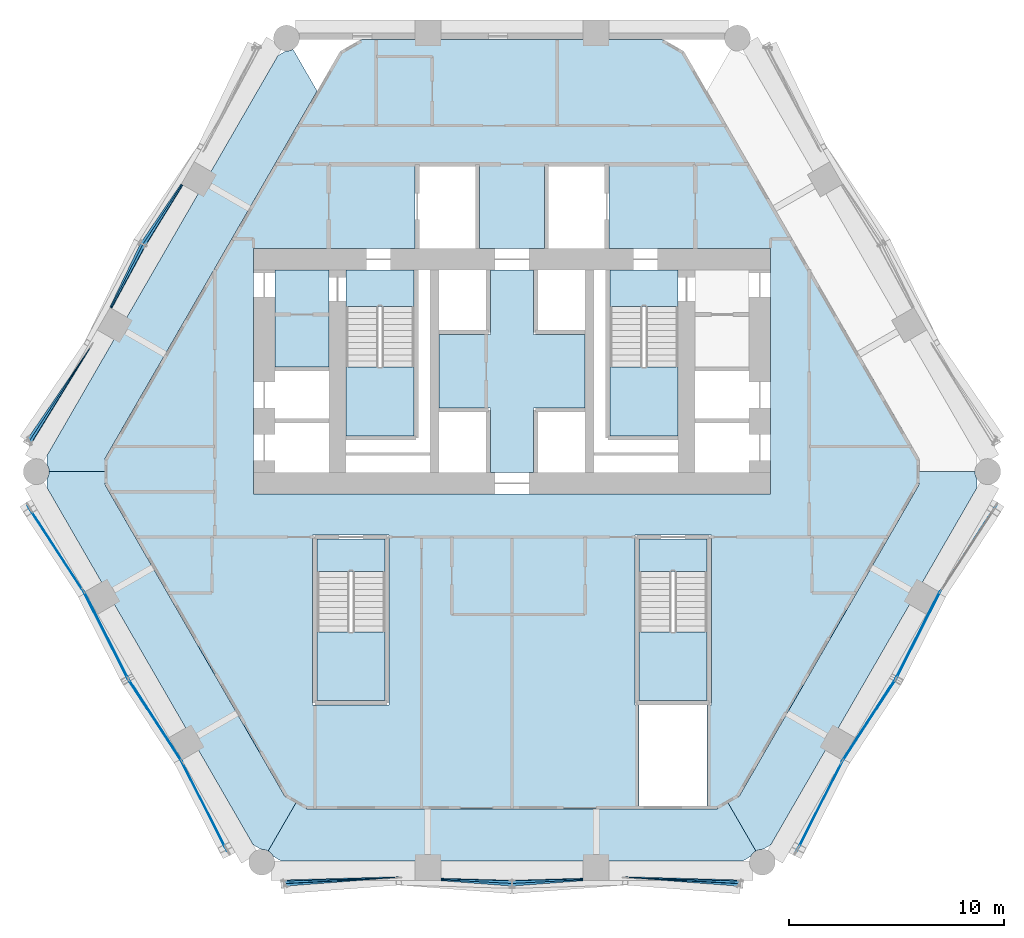
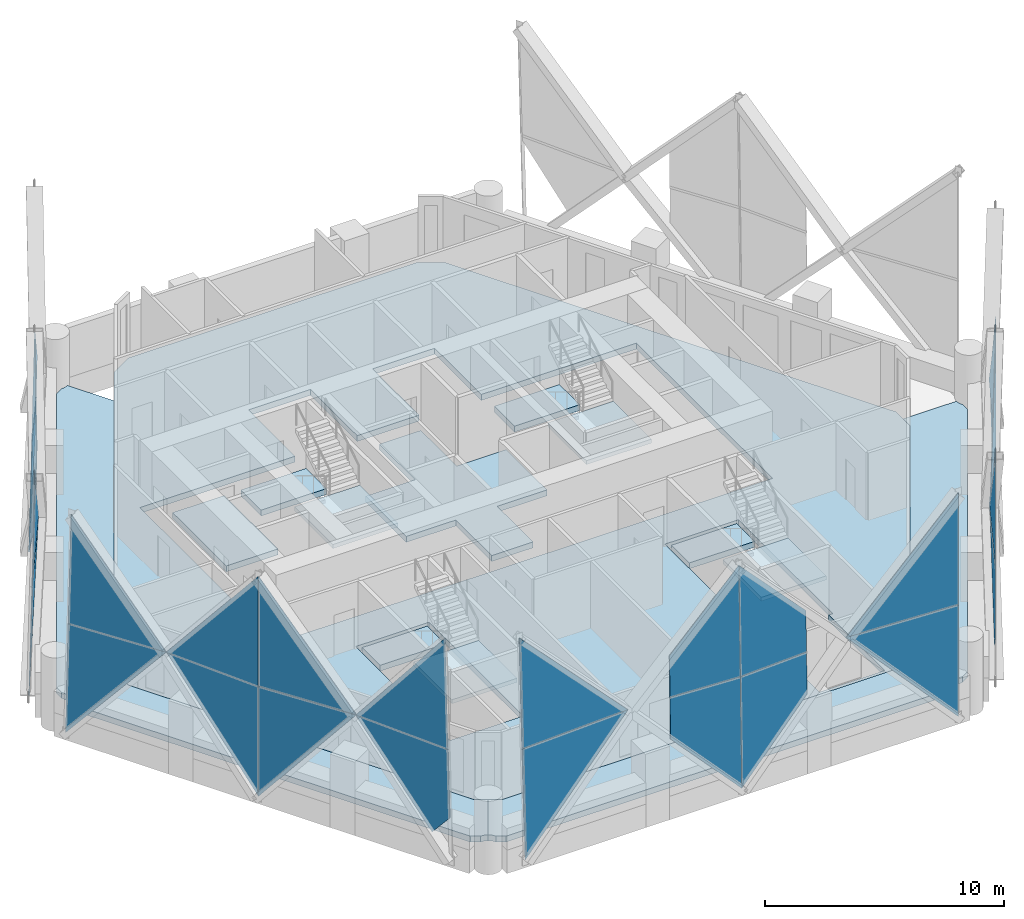
# One storey, part 10 of 21: 29 plates, 15 slabs, 20 elements without a shape of their own.
"""IFC4 building model written with IfcOpenShell, lengths in metres."""

from ifc_helpers import new_model, si_unit, direction, frame, origin, place, context, subcontext, project, spatial, polyline, outline, extrude, material, layer, layer_set, type_object, element, aggregate, save


model = new_model("IFC4")

# Units and contexts
model_context = context("Model", 3, precision=1e-05, world=origin(), true_north=direction((0.0, 1.0)))
body_context = subcontext(model_context, "Body", "Model", "MODEL_VIEW")
ifc_project = project(units=[si_unit("LENGTHUNIT", "METRE"), si_unit("AREAUNIT", "SQUARE_METRE"), si_unit("VOLUMEUNIT", "CUBIC_METRE"), si_unit("PLANEANGLEUNIT", "RADIAN"), si_unit("MASSUNIT", "GRAM", prefix="KILO")], contexts=[model_context])

# Site, building, storey
site_placement = place(None, origin())
site = spatial("IfcSite", under=ifc_project, at=site_placement, CompositionType="ELEMENT")
building_placement = place(site_placement, origin())
building = spatial("IfcBuilding", under=site, at=building_placement, Name="Ostrander Bayou Hotel Tower", CompositionType="ELEMENT")
storey_placement = place(building_placement, frame((0.0, 0.0, 116.0)))
storey = spatial("IfcBuildingStorey", under=building, at=storey_placement, Name="L28", CompositionType="ELEMENT", Elevation=116.0)

# Curtain wall, plate
ifc_material_1 = material(Name="Aluminium and clear glass", Category="aluminium")
curtain_wall_type = type_object("IfcCurtainWallType", Name="CW-LAT lattice glazing", PredefinedType="NOTDEFINED", material=ifc_material_1)
curtain_wall_1_placement = place(storey_placement, origin())
curtain_wall_1 = element("IfcCurtainWall", 1, at=curtain_wall_1_placement, inside=storey, type_object=curtain_wall_type, Name="CW-LAT L28 NW 1", PredefinedType="NOTDEFINED")
ifc_material_2 = material(Name="Clear laminated glass", Category="glass")
ifc_layer_1 = layer(ifc_material_2, 0.028076171875)
ifc_layer_set_1 = layer_set([ifc_layer_1], Name="CW-LA glazing panel 28 mm")
plate_type = type_object("IfcPlateType", Name="CW-LA glazing panel 28 mm", PredefinedType="CURTAIN_PANEL", material=ifc_layer_set_1)
plate_1_placement = place(storey_placement, frame((-15.37109375, 12.687744140625, 2.9248046875), z_axis=(-0.838646763957, 0.544240139773, 0.021777868676), x_axis=(-0.385965082101, -0.565590062822, -0.728792725153)))
plate_1 = element("IfcPlate", 2, at=plate_1_placement, type_object=plate_type, Name="CW-LAT panel 3", PredefinedType="CURTAIN_PANEL", context=body_context, shape_type="SweptSolid", body=[
    extrude(outline(polyline([(0.0, 0.0), (4.836629647808147, 0.0), (0.7308395861718675, 3.8468359470799594), (-1.5305046540110934, 1.4387728736882825), (0.0, 0.0)])), origin(), (0.0, 0.0, -1.0), 0.028076171875),
])

curtain_wall_2_placement = place(storey_placement, origin())
curtain_wall_2 = element("IfcCurtainWall", 3, at=curtain_wall_2_placement, inside=storey, type_object=curtain_wall_type, Name="CW-LAT L28 NW 2", PredefinedType="NOTDEFINED")
plate_2_placement = place(storey_placement, frame((-15.294189453125, 12.637939453125, 7.130126953125), z_axis=(-0.838651226354, 0.544232352726, 0.021800614249), x_axis=(-0.358813780547, -0.582151864499, 0.729624477077)))
plate_2 = element("IfcPlate", 4, at=plate_2_placement, type_object=plate_type, Name="CW-LAT panel 4", PredefinedType="CURTAIN_PANEL", context=body_context, shape_type="SweptSolid", body=[
    extrude(outline(polyline([(0.0, 0.0), (4.824091476423231, -8.881784197001252e-16), (0.7224739809354106, -3.8512912999961855), (-1.5366793893273751, -1.4396858016075385), (0.0, 0.0)])), origin(), (0.0, 0.0, -1.0), 0.028076171875),
])

curtain_wall_3_placement = place(storey_placement, origin())
curtain_wall_3 = element("IfcCurtainWall", 5, at=curtain_wall_3_placement, inside=storey, type_object=curtain_wall_type, Name="CW-LAT L28 NW 3", PredefinedType="NOTDEFINED")
plate_3_placement = place(storey_placement, frame((-18.673095703125, 6.968505859375, 2.92431640625), z_axis=(-0.890649873337, 0.454169167374, 0.021752483355), x_axis=(0.296826975165, 0.617001199326, -0.728836927471)))
plate_3 = element("IfcPlate", 6, at=plate_3_placement, type_object=plate_type, Name="CW-LAT panel 5", PredefinedType="CURTAIN_PANEL", context=body_context, shape_type="SweptSolid", body=[
    extrude(outline(polyline([(0.0, 0.0), (4.835670734600236, -4.440892098500626e-16), (0.7296769905186491, -3.8466185424230304), (-1.531909606743714, -1.437983843911311), (0.0, 0.0)])), origin(), (0.0, 0.0, -1.0), 0.028076171875),
])
aggregate(curtain_wall_3, [plate_3])

curtain_wall_4_placement = place(storey_placement, origin())
curtain_wall_4 = element("IfcCurtainWall", 7, at=curtain_wall_4_placement, inside=storey, type_object=curtain_wall_type, Name="CW-LAT L28 NW 4", PredefinedType="NOTDEFINED")
plate_4_placement = place(storey_placement, frame((-18.592529296875, 6.925048828125, 7.128662109375), z_axis=(-0.890644617966, 0.454177838801, 0.021786583713), x_axis=(0.324749515614, 0.60183627218, 0.729610069555)))
plate_4 = element("IfcPlate", 8, at=plate_4_placement, type_object=plate_type, Name="CW-LAT panel 6", PredefinedType="CURTAIN_PANEL", context=body_context, shape_type="SweptSolid", body=[
    extrude(outline(polyline([(0.0, 0.0), (4.826197278703129, 0.0), (0.7244526773733906, 3.8511559270760425), (-1.5349292507839474, 1.4394068930665587), (0.0, 0.0)])), origin(), (0.0, 0.0, -1.0), 0.028076171875),
])
aggregate(curtain_wall_4, [plate_4])

# Plate
plate_5_placement = place(storey_placement, frame((-19.52880859375, 5.18994140625, 5.02490234375), z_axis=(-0.838650768657, 0.544207199648, 0.022436846542), x_axis=(-0.383752466944, -0.561145673504, -0.733382285866)))
plate_5 = element("IfcPlate", 9, at=plate_5_placement, type_object=plate_type, Name="CW-LAT panel 7", PredefinedType="CURTAIN_PANEL", context=body_context, shape_type="SweptSolid", body=[
    extrude(outline(polyline([(0.0, 0.0), (7.669942550301036, -4.440892098500626e-16), (3.586407440927981, 3.8711056912351505), (0.0, 0.0)])), origin(), (0.0, 0.0, -1.0), 0.028076171875),
])

aggregate(curtain_wall_1, [plate_1, plate_5])

plate_6_placement = place(storey_placement, frame((-19.52880859375, 5.18994140625, 5.02490234375), z_axis=(-0.838650768657, 0.544207199648, 0.022436846542), x_axis=(-0.361137115625, -0.586422982718, 0.725043494597)))
plate_6 = element("IfcPlate", 10, at=plate_6_placement, type_object=plate_type, Name="CW-LAT panel 8", PredefinedType="CURTAIN_PANEL", context=body_context, shape_type="SweptSolid", body=[
    extrude(outline(polyline([(0.0, 0.0), (7.758155258151666, 4.440892098500626e-16), (3.633340045187415, -3.8270899807940593), (0.0, 0.0)])), origin(), (0.0, 0.0, -1.0), 0.028076171875),
])

aggregate(curtain_wall_2, [plate_2, plate_6])

# Curtain wall, plate
curtain_wall_5_placement = place(storey_placement, origin())
curtain_wall_5 = element("IfcCurtainWall", 11, at=curtain_wall_5_placement, inside=storey, type_object=curtain_wall_type, Name="CW-LAT L28 SW 3", PredefinedType="NOTDEFINED")
plate_7_placement = place(storey_placement, frame((-19.896240234375, -6.190185546875, 5.02490234375), z_axis=(0.838203550511, 0.545355819656, 0.001355683491), x_axis=(-0.350338606258, 0.540366835205, -0.765027152705)))
plate_7 = element("IfcPlate", 12, at=plate_7_placement, type_object=plate_type, Name="CW-LAT panel 1", PredefinedType="CURTAIN_PANEL", context=body_context, shape_type="SweptSolid", body=[
    extrude(outline(polyline([(0.0, 0.0), (7.352680202410827, 4.440892098500626e-16), (2.958239696491959, 3.514201317815347), (0.0, 0.0)])), origin(), (0.0, 0.0, -1.0), 0.028076171875),
])

curtain_wall_6_placement = place(storey_placement, origin())
curtain_wall_6 = element("IfcCurtainWall", 13, at=curtain_wall_6_placement, inside=storey, type_object=curtain_wall_type, Name="CW-LAT L28 SW 4", PredefinedType="NOTDEFINED")
plate_8_placement = place(storey_placement, frame((-19.896240234375, -6.190185546875, 5.02490234375), z_axis=(0.838203577173, 0.545355837003, 0.001332013576), x_axis=(-0.339337211246, 0.519640946596, 0.784106844559)))
plate_8 = element("IfcPlate", 14, at=plate_8_placement, type_object=plate_type, Name="CW-LAT panel 2", PredefinedType="CURTAIN_PANEL", context=body_context, shape_type="SweptSolid", body=[
    extrude(outline(polyline([(0.0, 0.0), (7.173767247449312, 0.0), (2.850878050136645, -3.6018449921234863), (0.0, 0.0)])), origin(), (0.0, 0.0, -1.0), 0.028076171875),
])

curtain_wall_7_placement = place(storey_placement, origin())
curtain_wall_7 = element("IfcCurtainWall", 15, at=curtain_wall_7_placement, inside=storey, type_object=curtain_wall_type, Name="CW-LAT L28 SW 1", PredefinedType="NOTDEFINED")
plate_9_placement = place(storey_placement, frame((-19.896240234375, -6.190185546875, 5.02490234375), z_axis=(-0.891388041709, -0.453240950376, 0.0), x_axis=(0.286686905249, -0.563826544892, -0.77453873088)))
plate_9 = element("IfcPlate", 16, at=plate_9_placement, type_object=plate_type, Name="CW-LAT panel 3", PredefinedType="CURTAIN_PANEL", context=body_context, shape_type="SweptSolid", body=[
    extrude(outline(polyline([(0.0, 0.0), (7.262386986908618, 4.440892098500626e-16), (2.9056066257083293, 3.557961478748679), (0.0, 0.0)])), origin(), (0.0, 0.0, -1.0), 0.028076171875),
])

curtain_wall_8_placement = place(storey_placement, origin())
curtain_wall_8 = element("IfcCurtainWall", 17, at=curtain_wall_8_placement, inside=storey, type_object=curtain_wall_type, Name="CW-LAT L28 SW 2", PredefinedType="NOTDEFINED")
plate_10_placement = place(storey_placement, frame((-19.896240234375, -6.190185546875, 5.02490234375), z_axis=(0.891388041709, 0.453240950376, 0.0), x_axis=(0.286686905249, -0.563826544892, 0.77453873088)))
plate_10 = element("IfcPlate", 18, at=plate_10_placement, type_object=plate_type, Name="CW-LAT panel 4", PredefinedType="CURTAIN_PANEL", context=body_context, shape_type="SweptSolid", body=[
    extrude(outline(polyline([(0.0, 0.0), (7.262386986908618, 4.440892098500626e-16), (2.9056066257083293, 3.557961478748679), (0.0, 0.0)])), origin(), (0.0, 0.0, -1.0), 0.028076171875),
])

# Plate
plate_11_placement = place(storey_placement, frame((-15.30908203125, -14.135498046875, 5.02490234375), z_axis=(0.838220126783, 0.545332026434, 0.0), x_axis=(-0.344942016564, 0.530204218423, -0.774531143322)))
plate_11 = element("IfcPlate", 19, at=plate_11_placement, type_object=plate_type, Name="CW-LAT panel 5", PredefinedType="CURTAIN_PANEL", context=body_context, shape_type="SweptSolid", body=[
    extrude(outline(polyline([(0.0, 0.0), (7.262458131607101, 0.0), (2.9057204504222476, 3.558013740465884), (0.0, 0.0)])), origin(), (0.0, 0.0, -1.0), 0.028076171875),
])

aggregate(curtain_wall_5, [plate_7, plate_11])

plate_12_placement = place(storey_placement, frame((-15.30908203125, -14.135498046875, 5.02490234375), z_axis=(-0.838220126783, -0.545332026434, 0.0), x_axis=(-0.344942016564, 0.530204218423, 0.774531143322)))
plate_12 = element("IfcPlate", 20, at=plate_12_placement, type_object=plate_type, Name="CW-LAT panel 6", PredefinedType="CURTAIN_PANEL", context=body_context, shape_type="SweptSolid", body=[
    extrude(outline(polyline([(0.0, 0.0), (7.262458131607101, 0.0), (2.9057204504222476, 3.558013740465884), (0.0, 0.0)])), origin(), (0.0, 0.0, -1.0), 0.028076171875),
])

aggregate(curtain_wall_6, [plate_8, plate_12])

plate_13_placement = place(storey_placement, frame((-15.30908203125, -14.135498046875, 5.02490234375), z_axis=(0.891387393272, 0.453240159651, 0.001368501179), x_axis=(0.453240584065, -0.891388227966, -5.62e-10)))
plate_13 = element("IfcPlate", 21, at=plate_13_placement, type_object=plate_type, Name="CW-LAT panel 7", PredefinedType="CURTAIN_PANEL", context=body_context, shape_type="SweptSolid", body=[
    extrude(outline(polyline([(0.0, 0.0), (4.593652114343887, -4.336808689942018e-19), (4.68125100400269, 3.4787630204997195), (3.8063572862276134, 4.521488609356448), (0.0, 0.0)])), origin(), (0.0, 0.0, -1.0), 0.028076171875),
])

aggregate(curtain_wall_7, [plate_9, plate_13])

plate_14_placement = place(storey_placement, frame((-15.30908203125, -14.135498046875, 5.02490234375), z_axis=(0.891387259529, 0.453240552663, 0.00132475292), x_axis=(0.280361990279, -0.553679196388, 0.784115107553)))
plate_14 = element("IfcPlate", 22, at=plate_14_placement, type_object=plate_type, Name="CW-LAT panel 8", PredefinedType="CURTAIN_PANEL", context=body_context, shape_type="SweptSolid", body=[
    extrude(outline(polyline([(0.0, 0.0), (7.173691650388627, 0.0), (2.8508873376278783, 3.6019551823659137), (0.0, 0.0)])), origin(), (0.0, 0.0, -1.0), 0.028076171875),
])

aggregate(curtain_wall_8, [plate_10, plate_14])

# Curtain wall, plate
curtain_wall_9_placement = place(storey_placement, origin())
curtain_wall_9 = element("IfcCurtainWall", 23, at=curtain_wall_9_placement, inside=storey, type_object=curtain_wall_type, Name="CW-LAT L28 S 3", PredefinedType="NOTDEFINED")
plate_15_placement = place(storey_placement, frame((-5.269775390625, -19.50732421875, 5.02490234375), z_axis=(0.051987228837, -0.99839530399, 0.022453173676), x_axis=(-0.677839077855, -0.051788879064, -0.733384003465)))
plate_15 = element("IfcPlate", 24, at=plate_15_placement, type_object=plate_type, Name="CW-LAT panel 1", PredefinedType="CURTAIN_PANEL", context=body_context, shape_type="SweptSolid", body=[
    extrude(outline(polyline([(0.0, 0.0), (7.669924587155052, 4.440892098500626e-16), (3.586436776036938, -3.871160057262423), (0.0, 0.0)])), origin(), (0.0, 0.0, -1.0), 0.028076171875),
])

curtain_wall_10_placement = place(storey_placement, origin())
curtain_wall_10 = element("IfcCurtainWall", 25, at=curtain_wall_10_placement, inside=storey, type_object=curtain_wall_type, Name="CW-LAT L28 S 4", PredefinedType="NOTDEFINED")
plate_16_placement = place(storey_placement, frame((-5.269775390625, -19.50732421875, 5.02490234375), z_axis=(0.051987231471, -0.998395354569, 0.022450918423), x_axis=(-0.6884194142, -0.019542350348, 0.725049520167)))
plate_16 = element("IfcPlate", 26, at=plate_16_placement, type_object=plate_type, Name="CW-LAT panel 2", PredefinedType="CURTAIN_PANEL", context=body_context, shape_type="SweptSolid", body=[
    extrude(outline(polyline([(0.0, 0.0), (7.75809078351294, 4.440892098500626e-16), (3.6333464542779947, 3.8271663774442506), (0.0, 0.0)])), origin(), (0.0, 0.0, -1.0), 0.028076171875),
])

curtain_wall_11_placement = place(storey_placement, origin())
curtain_wall_11 = element("IfcCurtainWall", 27, at=curtain_wall_11_placement, inside=storey, type_object=curtain_wall_type, Name="CW-LAT L28 S 1", PredefinedType="NOTDEFINED")
plate_17_placement = place(storey_placement, frame((-3.3017578125, -19.65576171875, 2.92431640625), z_axis=(-0.051954649853, -0.998411762113, 0.021786868359), x_axis=(0.682774045613, -0.051433614819, -0.72881697696)))
plate_17 = element("IfcPlate", 28, at=plate_17_placement, type_object=plate_type, Name="CW-LAT panel 3", PredefinedType="CURTAIN_PANEL", context=body_context, shape_type="SweptSolid", body=[
    extrude(outline(polyline([(0.0, 0.0), (4.835802960389012, -4.440892098500626e-16), (0.729891276452584, 3.8467122003192893), (-1.5316239295106449, 1.4382905448697527), (0.0, 0.0)])), origin(), (0.0, 0.0, -1.0), 0.028076171875),
])

curtain_wall_12_placement = place(storey_placement, origin())
curtain_wall_12 = element("IfcCurtainWall", 29, at=curtain_wall_12_placement, inside=storey, type_object=curtain_wall_type, Name="CW-LAT L28 S 2", PredefinedType="NOTDEFINED")
plate_18_placement = place(storey_placement, frame((-3.299072265625, -19.564208984375, 7.128662109375), z_axis=(-0.051949655333, -0.998412395868, 0.021769728699), x_axis=(0.683577159909, -0.019659322344, 0.729613443884)))
plate_18 = element("IfcPlate", 30, at=plate_18_placement, type_object=plate_type, Name="CW-LAT panel 4", PredefinedType="CURTAIN_PANEL", context=body_context, shape_type="SweptSolid", body=[
    extrude(outline(polyline([(0.0, 0.0), (4.826176923841132, -8.881784197001252e-16), (0.7245155205356724, -3.851243853715379), (-1.5348683199380413, -1.4394687122089915), (0.0, 0.0)])), origin(), (0.0, 0.0, -1.0), 0.028076171875),
])

# Plate
plate_19_placement = place(storey_placement, frame((3.30224609375, -19.65576171875, 2.9248046875), z_axis=(0.051948803979, -0.998411892892, 0.021794813518), x_axis=(-0.682777220574, -0.051435507452, -0.728813868994)))
plate_19 = element("IfcPlate", 31, at=plate_19_placement, type_object=plate_type, Name="CW-LAT panel 5", PredefinedType="CURTAIN_PANEL", context=body_context, shape_type="SweptSolid", body=[
    extrude(outline(polyline([(0.0, 0.0), (4.836492213895703, -8.881784197001252e-16), (0.73059777984485, -3.846730612852813), (-1.530594838840988, -1.4386749467104658), (0.0, 0.0)])), origin(), (0.0, 0.0, -1.0), 0.028076171875),
])

aggregate(curtain_wall_9, [plate_15, plate_19])

plate_20_placement = place(storey_placement, frame((3.297607421875, -19.564208984375, 7.130126953125), z_axis=(0.05196042213, -0.998411746891, 0.021773796216), x_axis=(-0.683567090286, -0.019663006699, 0.729622778732)))
plate_20 = element("IfcPlate", 32, at=plate_20_placement, type_object=plate_type, Name="CW-LAT panel 6", PredefinedType="CURTAIN_PANEL", context=body_context, shape_type="SweptSolid", body=[
    extrude(outline(polyline([(0.0, 0.0), (4.824106820332073, -4.440892098500626e-16), (0.7223933609506921, 3.8511884129157457), (-1.5367909935693593, 1.4395604733274476), (0.0, 0.0)])), origin(), (0.0, 0.0, -1.0), 0.028076171875),
])

aggregate(curtain_wall_10, [plate_16, plate_20])

plate_21_placement = place(storey_placement, frame((5.269775390625, -19.50732421875, 5.02490234375), z_axis=(-0.051987228837, -0.99839530399, 0.022453173676), x_axis=(0.677839077855, -0.051788879064, -0.733384003465)))
plate_21 = element("IfcPlate", 33, at=plate_21_placement, type_object=plate_type, Name="CW-LAT panel 7", PredefinedType="CURTAIN_PANEL", context=body_context, shape_type="SweptSolid", body=[
    extrude(outline(polyline([(0.0, 0.0), (7.669924587155052, -4.440892098500626e-16), (3.586436776036938, 3.871160057262423), (0.0, 0.0)])), origin(), (0.0, 0.0, -1.0), 0.028076171875),
])

aggregate(curtain_wall_11, [plate_17, plate_21])

plate_22_placement = place(storey_placement, frame((5.269775390625, -19.50732421875, 5.02490234375), z_axis=(-0.051987231471, -0.998395354569, 0.022450918423), x_axis=(0.6884194142, -0.019542350348, 0.725049520167)))
plate_22 = element("IfcPlate", 34, at=plate_22_placement, type_object=plate_type, Name="CW-LAT panel 8", PredefinedType="CURTAIN_PANEL", context=body_context, shape_type="SweptSolid", body=[
    extrude(outline(polyline([(0.0, 0.0), (7.75809078351294, -4.440892098500626e-16), (3.6333464542779947, -3.8271663774442506), (0.0, 0.0)])), origin(), (0.0, 0.0, -1.0), 0.028076171875),
])

aggregate(curtain_wall_12, [plate_18, plate_22])

# Curtain wall, plate
curtain_wall_13_placement = place(storey_placement, origin())
curtain_wall_13 = element("IfcCurtainWall", 35, at=curtain_wall_13_placement, inside=storey, type_object=curtain_wall_type, Name="CW-LAT L28 SE 3", PredefinedType="NOTDEFINED")
plate_23_placement = place(storey_placement, frame((13.578369140625, -17.525634765625, 0.50341796875), z_axis=(-0.891387393272, 0.453240159651, 0.001368501179), x_axis=(-0.290391808985, -0.573426586401, 0.766064323202)))
plate_23 = element("IfcPlate", 36, at=plate_23_placement, type_object=plate_type, Name="CW-LAT panel 1", PredefinedType="CURTAIN_PANEL", context=body_context, shape_type="SweptSolid", body=[
    extrude(outline(polyline([(0.0, 0.0), (1.361144985318943, 0.0), (3.969798390426268, 2.3031268159369223), (1.0171684943965333, 5.822163110817597), (0.0, 0.0)])), origin(), (0.0, 0.0, -1.0), 0.028076171875),
])

curtain_wall_14_placement = place(storey_placement, origin())
curtain_wall_14 = element("IfcCurtainWall", 37, at=curtain_wall_14_placement, inside=storey, type_object=curtain_wall_type, Name="CW-LAT L28 SE 4", PredefinedType="NOTDEFINED")
plate_24_placement = place(storey_placement, frame((15.30908203125, -14.135498046875, 5.02490234375), z_axis=(-0.891387259529, 0.453240552663, 0.00132475292), x_axis=(-0.280361990279, -0.553679196388, 0.784115107553)))
plate_24 = element("IfcPlate", 38, at=plate_24_placement, type_object=plate_type, Name="CW-LAT panel 2", PredefinedType="CURTAIN_PANEL", context=body_context, shape_type="SweptSolid", body=[
    extrude(outline(polyline([(0.0, 0.0), (7.173691650388627, 0.0), (2.8508873376278783, -3.6019551823659137), (0.0, 0.0)])), origin(), (0.0, 0.0, -1.0), 0.028076171875),
])

curtain_wall_15_placement = place(storey_placement, origin())
curtain_wall_15 = element("IfcCurtainWall", 39, at=curtain_wall_15_placement, inside=storey, type_object=curtain_wall_type, Name="CW-LAT L28 SE 1", PredefinedType="NOTDEFINED")
plate_25_placement = place(storey_placement, frame((15.30908203125, -14.135498046875, 5.02490234375), z_axis=(0.838220126783, -0.545332026434, 0.0), x_axis=(0.344942016564, 0.530204218423, -0.774531143322)))
plate_25 = element("IfcPlate", 40, at=plate_25_placement, type_object=plate_type, Name="CW-LAT panel 3", PredefinedType="CURTAIN_PANEL", context=body_context, shape_type="SweptSolid", body=[
    extrude(outline(polyline([(0.0, 0.0), (7.262458131607101, 0.0), (2.9057204504222476, 3.558013740465884), (0.0, 0.0)])), origin(), (0.0, 0.0, -1.0), 0.028076171875),
])

curtain_wall_16_placement = place(storey_placement, origin())
curtain_wall_16 = element("IfcCurtainWall", 41, at=curtain_wall_16_placement, inside=storey, type_object=curtain_wall_type, Name="CW-LAT L28 SE 2", PredefinedType="NOTDEFINED")
plate_26_placement = place(storey_placement, frame((15.30908203125, -14.135498046875, 5.02490234375), z_axis=(-0.838220126783, 0.545332026434, 0.0), x_axis=(0.344942016564, 0.530204218423, 0.774531143322)))
plate_26 = element("IfcPlate", 42, at=plate_26_placement, type_object=plate_type, Name="CW-LAT panel 4", PredefinedType="CURTAIN_PANEL", context=body_context, shape_type="SweptSolid", body=[
    extrude(outline(polyline([(0.0, 0.0), (7.262458131607101, 0.0), (2.9057204504222476, 3.558013740465884), (0.0, 0.0)])), origin(), (0.0, 0.0, -1.0), 0.028076171875),
])
aggregate(curtain_wall_16, [plate_26])

# Plate
plate_27_placement = place(storey_placement, frame((19.896240234375, -6.190185546875, 5.02490234375), z_axis=(-0.891388041709, 0.453240950376, 0.0), x_axis=(-0.286686905249, -0.563826544892, -0.77453873088)))
plate_27 = element("IfcPlate", 43, at=plate_27_placement, type_object=plate_type, Name="CW-LAT panel 5", PredefinedType="CURTAIN_PANEL", context=body_context, shape_type="SweptSolid", body=[
    extrude(outline(polyline([(0.0, 0.0), (7.262386986908618, 4.440892098500626e-16), (2.9056066257083293, 3.557961478748679), (0.0, 0.0)])), origin(), (0.0, 0.0, -1.0), 0.028076171875),
])

aggregate(curtain_wall_13, [plate_23, plate_27])

plate_28_placement = place(storey_placement, frame((19.896240234375, -6.190185546875, 5.02490234375), z_axis=(0.891388041709, -0.453240950376, 0.0), x_axis=(-0.286686905249, -0.563826544892, 0.77453873088)))
plate_28 = element("IfcPlate", 44, at=plate_28_placement, type_object=plate_type, Name="CW-LAT panel 6", PredefinedType="CURTAIN_PANEL", context=body_context, shape_type="SweptSolid", body=[
    extrude(outline(polyline([(0.0, 0.0), (7.262386986908618, 4.440892098500626e-16), (2.9056066257083293, 3.557961478748679), (0.0, 0.0)])), origin(), (0.0, 0.0, -1.0), 0.028076171875),
])

aggregate(curtain_wall_14, [plate_24, plate_28])

plate_29_placement = place(storey_placement, frame((19.896240234375, -6.190185546875, 5.02490234375), z_axis=(-0.838203550511, 0.545355819656, 0.001355683491), x_axis=(0.350338606258, 0.540366835205, -0.765027152705)))
plate_29 = element("IfcPlate", 45, at=plate_29_placement, type_object=plate_type, Name="CW-LAT panel 7", PredefinedType="CURTAIN_PANEL", context=body_context, shape_type="SweptSolid", body=[
    extrude(outline(polyline([(0.0, 0.0), (7.352680202410827, -4.440892098500626e-16), (2.958239696491959, -3.514201317815347), (0.0, 0.0)])), origin(), (0.0, 0.0, -1.0), 0.028076171875),
])

aggregate(curtain_wall_15, [plate_25, plate_29])

# Slabs
ifc_material_3 = material(Name="Concrete f'c 40 MPa", Category="concrete")
ifc_layer_2 = layer(ifc_material_3, 0.300048828125)
ifc_layer_set_2 = layer_set([ifc_layer_2], Name="SL1 floor slab 300 mm f'c 40 MPa")
slab_type_1 = type_object("IfcSlabType", Name="SL1 floor slab 300 mm f'c 40 MPa", PredefinedType="FLOOR", material=ifc_layer_set_2)
slab_1_placement = place(storey_placement, frame((0.0, 0.0, -0.300048828125)))
element("IfcSlab", 46, at=slab_1_placement, inside=storey, type_object=slab_type_1, Name="SL1 L28 1", PredefinedType="FLOOR", context=body_context, shape_type="SweptSolid", body=[
    extrude(outline(polyline([(-3.336669921875, 19.39990234375), (3.336669921875, 19.39990234375), (4.476806640625, 19.39990234375), (6.968017578125, 19.39990234375), (8.00732421875, 18.800048828125), (18.8994140625, -0.0654296875), (18.8994140625, -1.265380859375), (10.545654296875, -15.734619140625), (9.50634765625, -16.33447265625), (-9.50634765625, -16.33447265625), (-10.545654296875, -15.734619140625), (-18.8994140625, -1.265380859375), (-18.8994140625, -0.0654296875), (-8.00732421875, 18.800048828125), (-6.968017578125, 19.39990234375), (-4.476806640625, 19.39990234375), (-3.336669921875, 19.39990234375)]), holes=[polyline([(-12.0, -1.699951171875), (12.0, -1.699951171875), (12.0, 9.699951171875), (4.5, 9.699951171875), (4.5, 13.60009765625), (1.5, 13.60009765625), (1.5, 9.699951171875), (-1.5, 9.699951171875), (-1.5, 13.60009765625), (-4.5, 13.60009765625), (-4.5, 9.699951171875), (-12.0, 9.699951171875), (-12.0, -1.699951171875)]), polyline([(9.050048828125, -11.5), (9.25, -11.5), (9.25, -3.60009765625), (5.699951171875, -3.60009765625), (5.699951171875, -11.5), (5.89990234375, -11.5), (5.89990234375, -16.1845703125), (9.050048828125, -16.1845703125), (9.050048828125, -11.5)]), polyline([(-5.699951171875, -3.60009765625), (-9.25, -3.60009765625), (-9.25, -11.5), (-5.699951171875, -11.5), (-5.699951171875, -3.60009765625)])]), origin(), (0.0, 0.0, 1.0), 0.300048828125),
])
slab_2_placement = place(storey_placement, frame((0.0, 0.0, -0.300048828125)))
element("IfcSlab", 47, at=slab_2_placement, inside=storey, type_object=slab_type_1, Name="cslab:L28:001", PredefinedType="FLOOR", context=body_context, shape_type="SweptSolid", body=[
    extrude(outline(polyline([(-3.39990234375, 5.699951171875), (-1.0, 5.699951171875), (-1.0, 8.699951171875), (1.0, 8.699951171875), (1.0, 5.699951171875), (3.39990234375, 5.699951171875), (3.39990234375, 2.300048828125), (1.0, 2.300048828125), (1.0, -0.699951171875), (-1.0, -0.699951171875), (-1.0, 2.300048828125), (-3.39990234375, 2.300048828125), (-3.39990234375, 5.699951171875)])), origin(), (0.0, 0.0, 1.0), 0.300048828125),
])
slab_3_placement = place(storey_placement, frame((0.0, 0.0, -0.300048828125)))
element("IfcSlab", 48, at=slab_3_placement, inside=storey, type_object=slab_type_1, Name="cslab:L28:002", PredefinedType="FLOOR", context=body_context, shape_type="SweptSolid", body=[
    extrude(outline(polyline([(-8.5, 4.199951171875), (-8.5, 8.699951171875), (-11.0, 8.699951171875), (-11.0, 4.199951171875), (-8.5, 4.199951171875)])), origin(), (0.0, 0.0, 1.0), 0.300048828125),
])
slab_4_placement = place(storey_placement, frame((0.0, 0.0, -0.300048828125)))
element("IfcSlab", 49, at=slab_4_placement, inside=storey, type_object=slab_type_1, Name="cslab:L28:004", PredefinedType="FLOOR", context=body_context, shape_type="SweptSolid", body=[
    extrude(outline(polyline([(-4.550048828125, 7.0), (-4.550048828125, 8.699951171875), (-7.699951171875, 8.699951171875), (-7.699951171875, 7.0), (-4.550048828125, 7.0)])), origin(), (0.0, 0.0, 1.0), 0.300048828125),
])
slab_5_placement = place(storey_placement, frame((0.0, 0.0, -0.300048828125)))
element("IfcSlab", 50, at=slab_5_placement, inside=storey, type_object=slab_type_1, Name="cslab:L28:005", PredefinedType="FLOOR", context=body_context, shape_type="SweptSolid", body=[
    extrude(outline(polyline([(7.699951171875, 7.0), (7.699951171875, 8.699951171875), (4.550048828125, 8.699951171875), (4.550048828125, 7.0), (7.699951171875, 7.0)])), origin(), (0.0, 0.0, 1.0), 0.300048828125),
])
slab_6_placement = place(storey_placement, frame((0.0, 0.0, -0.300048828125)))
element("IfcSlab", 51, at=slab_6_placement, inside=storey, type_object=slab_type_1, Name="cslab:L28:006", PredefinedType="FLOOR", context=body_context, shape_type="SweptSolid", body=[
    extrude(outline(polyline([(9.050048828125, -5.300048828125), (9.050048828125, -3.800048828125), (5.89990234375, -3.800048828125), (5.89990234375, -5.300048828125), (9.050048828125, -5.300048828125)])), origin(), (0.0, 0.0, 1.0), 0.300048828125),
])
slab_7_placement = place(storey_placement, frame((0.0, 0.0, -0.300048828125)))
element("IfcSlab", 52, at=slab_7_placement, inside=storey, type_object=slab_type_1, Name="cslab:L28:007", PredefinedType="FLOOR", context=body_context, shape_type="SweptSolid", body=[
    extrude(outline(polyline([(-5.89990234375, -5.300048828125), (-5.89990234375, -3.800048828125), (-9.050048828125, -3.800048828125), (-9.050048828125, -5.300048828125), (-5.89990234375, -5.300048828125)])), origin(), (0.0, 0.0, 1.0), 0.300048828125),
])
ifc_material_4 = material(Name="Concrete f'c 40 MPa", Category="concrete")
ifc_layer_3 = layer(ifc_material_4, 0.300048828125)
ifc_layer_set_3 = layer_set([ifc_layer_3], Name="SL4 loggia slab 300 mm f'c 40 MPa")
slab_type_2 = type_object("IfcSlabType", Name="SL4 loggia slab 300 mm f'c 40 MPa", PredefinedType="FLOOR", material=ifc_layer_set_3)
slab_8_placement = place(storey_placement, frame((0.0, 0.0, -0.300048828125)))
element("IfcSlab", 53, at=slab_8_placement, inside=storey, type_object=slab_type_2, Name="SL4 LOGGIA L28 NW 1", PredefinedType="FLOOR", context=body_context, shape_type="SweptSolid", body=[
    extrude(outline(polyline([(-21.48486328125, -0.66552734375), (-21.496337890625, -0.548583984375), (-21.530517578125, -0.435791015625), (-21.583984375, -0.336181640625), (-21.583984375, 0.08447265625), (-18.462890625, 5.490234375), (-17.892822265625, 6.4775390625), (-14.55615234375, 12.2568359375), (-13.986083984375, 13.244140625), (-11.436279296875, 17.66064453125), (-11.110595703125, 18.22509765625), (-10.864990234375, 18.64990234375), (-10.498046875, 18.862060546875), (-10.466064453125, 18.85888671875), (-10.34912109375, 18.870361328125), (-10.236572265625, 18.904541015625), (-10.16748046875, 18.94140625), (-9.04638671875, 17.0), (-18.8994140625, -0.0654296875), (-18.8994140625, -0.66552734375), (-21.48486328125, -0.66552734375)])), origin(), (0.0, 0.0, 1.0), 0.300048828125),
])
slab_9_placement = place(storey_placement, frame((0.0, 0.0, -0.300048828125)))
element("IfcSlab", 54, at=slab_9_placement, inside=storey, type_object=slab_type_2, Name="SL4 LOGGIA L28 SW 1", PredefinedType="FLOOR", context=body_context, shape_type="SweptSolid", body=[
    extrude(outline(polyline([(-10.02587890625, -16.034423828125), (-11.320068359375, -18.27587890625), (-11.38916015625, -18.239013671875), (-11.501708984375, -18.204833984375), (-11.618896484375, -18.193359375), (-11.650634765625, -18.196533203125), (-12.017822265625, -17.984619140625), (-14.5625, -13.576904296875), (-15.132568359375, -12.589599609375), (-18.46923828125, -6.810302734375), (-19.039306640625, -5.822998046875), (-21.583984375, -1.41552734375), (-21.583984375, -0.9951171875), (-21.530517578125, -0.89501953125), (-21.496337890625, -0.78271484375), (-21.48486328125, -0.66552734375), (-18.8994140625, -0.66552734375), (-18.8994140625, -1.265380859375), (-10.545654296875, -15.734619140625), (-10.02587890625, -16.034423828125)])), origin(), (0.0, 0.0, 1.0), 0.300048828125),
])
slab_10_placement = place(storey_placement, frame((0.0, 0.0, -0.300048828125)))
element("IfcSlab", 55, at=slab_10_placement, inside=storey, type_object=slab_type_2, Name="SL4 LOGGIA L28 S 1", PredefinedType="FLOOR", context=body_context, shape_type="SweptSolid", body=[
    extrude(outline(polyline([(10.02587890625, -16.034423828125), (11.320068359375, -18.27587890625), (11.285400390625, -18.29443359375), (11.194580078125, -18.369140625), (11.119873046875, -18.4599609375), (11.086669921875, -18.522216796875), (10.71875, -18.734619140625), (-10.71875, -18.734619140625), (-11.086669921875, -18.522216796875), (-11.119873046875, -18.4599609375), (-11.194580078125, -18.369140625), (-11.285400390625, -18.29443359375), (-11.320068359375, -18.27587890625), (-10.02587890625, -16.034423828125), (-9.50634765625, -16.33447265625), (9.50634765625, -16.33447265625), (10.02587890625, -16.034423828125)])), origin(), (0.0, 0.0, 1.0), 0.300048828125),
])
slab_11_placement = place(storey_placement, frame((0.0, 0.0, -0.300048828125)))
element("IfcSlab", 56, at=slab_11_placement, inside=storey, type_object=slab_type_2, Name="SL4 LOGGIA L28 SE 1", PredefinedType="FLOOR", context=body_context, shape_type="SweptSolid", body=[
    extrude(outline(polyline([(18.8994140625, -0.66552734375), (21.48486328125, -0.66552734375), (21.496337890625, -0.78271484375), (21.530517578125, -0.89501953125), (21.583984375, -0.9951171875), (21.583984375, -1.41552734375), (19.039306640625, -5.822998046875), (18.46923828125, -6.810302734375), (15.132568359375, -12.589599609375), (14.5625, -13.576904296875), (14.23779296875, -14.139404296875), (13.923583984375, -14.68359375), (13.19140625, -15.951904296875), (12.017822265625, -17.984619140625), (11.650634765625, -18.196533203125), (11.618896484375, -18.193359375), (11.501708984375, -18.204833984375), (11.38916015625, -18.239013671875), (11.320068359375, -18.27587890625), (10.02587890625, -16.034423828125), (10.545654296875, -15.734619140625), (18.8994140625, -1.265380859375), (18.8994140625, -0.66552734375)])), origin(), (0.0, 0.0, 1.0), 0.300048828125),
])

# Stair, slab
ifc_material_5 = material(Name="Concrete f'c 45 MPa", Category="concrete")
stair_type = type_object("IfcStairType", Name="ST1 exit stair 1500 mm f'c 45 MPa", PredefinedType="HALF_TURN_STAIR", material=ifc_material_5)
stair_1_placement = place(storey_placement, origin())
stair_1 = element("IfcStair", 57, at=stair_1_placement, inside=storey, type_object=stair_type, Name="L28 exit stair A", PredefinedType="HALF_TURN_STAIR")
ifc_material_6 = material(Name="Concrete f'c 45 MPa", Category="concrete")
ifc_layer_4 = layer(ifc_material_6, 0.199951171875)
ifc_layer_set_4 = layer_set([ifc_layer_4], Name="SL8 stair landing 200 mm f'c 45 MPa")
slab_type_3 = type_object("IfcSlabType", Name="SL8 stair landing 200 mm f'c 45 MPa", PredefinedType="LANDING", material=ifc_layer_set_4)
slab_12_placement = place(storey_placement, frame((0.0, 0.0, 1.675048828125)))
slab_12 = element("IfcSlab", 58, at=slab_12_placement, type_object=slab_type_3, Name="STA landing 1", PredefinedType="LANDING", context=body_context, shape_type="SweptSolid", body=[
    extrude(outline(polyline([(-7.699951171875, 4.199951171875), (-7.699951171875, 1.0), (-4.550048828125, 1.0), (-4.550048828125, 4.199951171875), (-7.699951171875, 4.199951171875)])), origin(), (0.0, 0.0, 1.0), 0.199951171875),
])
aggregate(stair_1, [slab_12])

stair_2_placement = place(storey_placement, origin())
stair_2 = element("IfcStair", 59, at=stair_2_placement, inside=storey, type_object=stair_type, Name="L28 exit stair B", PredefinedType="HALF_TURN_STAIR")
slab_13_placement = place(storey_placement, frame((0.0, 0.0, 1.675048828125)))
slab_13 = element("IfcSlab", 60, at=slab_13_placement, type_object=slab_type_3, Name="STB landing 1", PredefinedType="LANDING", context=body_context, shape_type="SweptSolid", body=[
    extrude(outline(polyline([(4.550048828125, 4.199951171875), (4.550048828125, 1.0), (7.699951171875, 1.0), (7.699951171875, 4.199951171875), (4.550048828125, 4.199951171875)])), origin(), (0.0, 0.0, 1.0), 0.199951171875),
])
aggregate(stair_2, [slab_13])

stair_3_placement = place(storey_placement, origin())
stair_3 = element("IfcStair", 61, at=stair_3_placement, inside=storey, type_object=stair_type, Name="L28 exit stair C", PredefinedType="HALF_TURN_STAIR")
slab_14_placement = place(storey_placement, frame((0.0, 0.0, 1.675048828125)))
slab_14 = element("IfcSlab", 62, at=slab_14_placement, type_object=slab_type_3, Name="STC landing 1", PredefinedType="LANDING", context=body_context, shape_type="SweptSolid", body=[
    extrude(outline(polyline([(5.89990234375, -8.10009765625), (5.89990234375, -11.300048828125), (9.050048828125, -11.300048828125), (9.050048828125, -8.10009765625), (5.89990234375, -8.10009765625)])), origin(), (0.0, 0.0, 1.0), 0.199951171875),
])
aggregate(stair_3, [slab_14])

stair_4_placement = place(storey_placement, origin())
stair_4 = element("IfcStair", 63, at=stair_4_placement, inside=storey, type_object=stair_type, Name="L28 exit stair D", PredefinedType="HALF_TURN_STAIR")
slab_15_placement = place(storey_placement, frame((0.0, 0.0, 1.675048828125)))
slab_15 = element("IfcSlab", 64, at=slab_15_placement, type_object=slab_type_3, Name="STD landing 1", PredefinedType="LANDING", context=body_context, shape_type="SweptSolid", body=[
    extrude(outline(polyline([(-9.050048828125, -8.10009765625), (-9.050048828125, -11.300048828125), (-5.89990234375, -11.300048828125), (-5.89990234375, -8.10009765625), (-9.050048828125, -8.10009765625)])), origin(), (0.0, 0.0, 1.0), 0.199951171875),
])
aggregate(stair_4, [slab_15])

save(model, "model.ifc")
